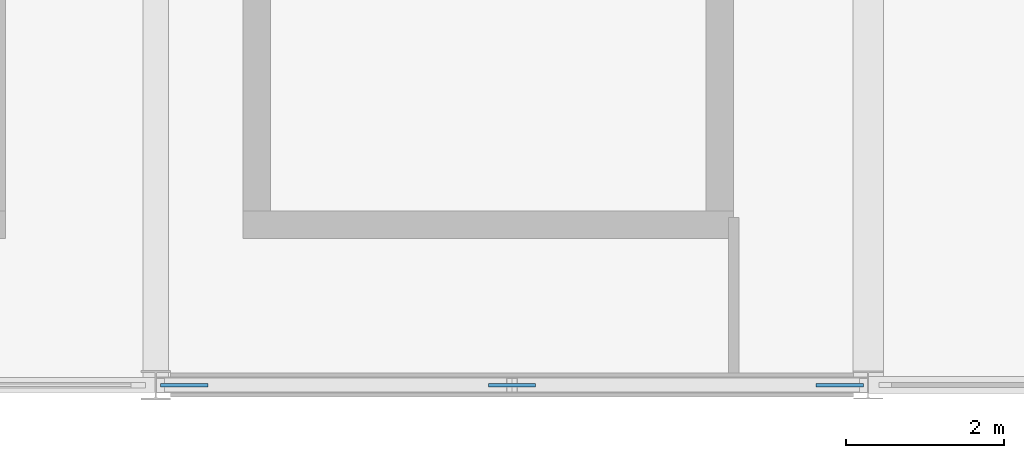
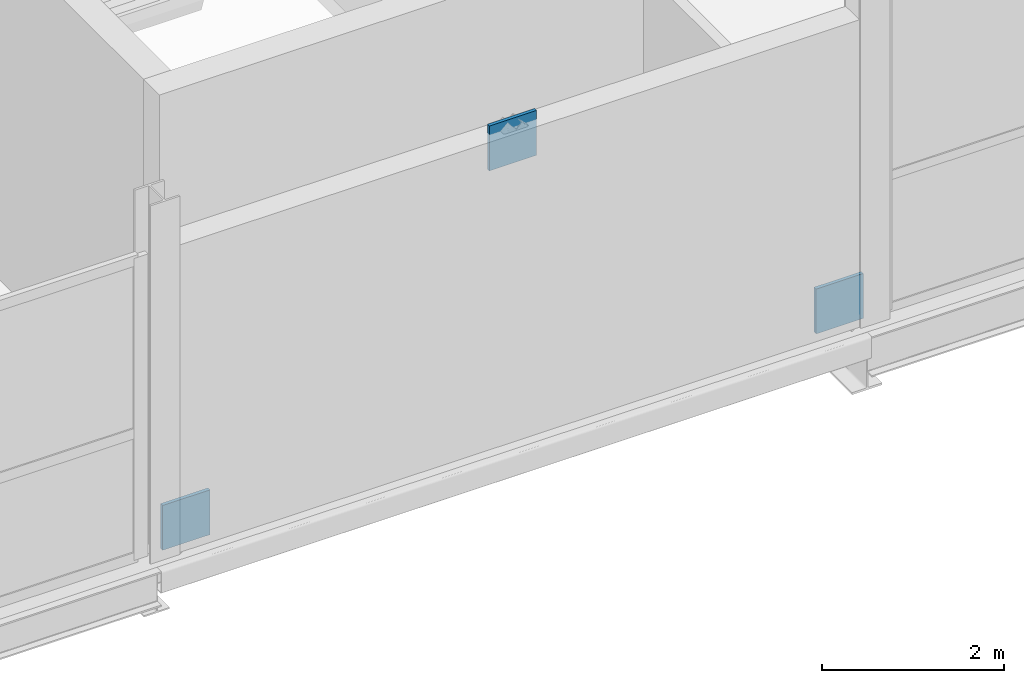
# One storey, part 190 of 224: 3 plates.
"""IFC4 building model written with IfcOpenShell, lengths in metres."""

from ifc_helpers import new_model, si_unit, direction, frame, origin, origin_2d, place, context, subcontext, project, spatial, rectangle, extrude, material, layer, layer_set, type_object, element, save


model = new_model("IFC4")

# Units and contexts
model_context = context("Model", 3, precision=1e-05, world=origin(), true_north=direction((0.0, 1.0)))
body_context = subcontext(model_context, "Body", "Model", "MODEL_VIEW")
ifc_project = project(units=[si_unit("LENGTHUNIT", "METRE"), si_unit("AREAUNIT", "SQUARE_METRE"), si_unit("VOLUMEUNIT", "CUBIC_METRE"), si_unit("PLANEANGLEUNIT", "RADIAN"), si_unit("MASSUNIT", "GRAM", prefix="KILO")], contexts=[model_context])

# Site, building, storey
site_placement = place(None, origin())
site = spatial("IfcSite", under=ifc_project, at=site_placement, CompositionType="ELEMENT")
building_placement = place(site_placement, origin())
building = spatial("IfcBuilding", under=site, at=building_placement, Name="Qamarlyn Nura Convention Centre", CompositionType="ELEMENT")
storey_placement = place(building_placement, frame((0.0, 0.0, 10.800048828125)))
storey = spatial("IfcBuildingStorey", under=building, at=storey_placement, Name="L02", CompositionType="ELEMENT", Elevation=10.800048828125)

# Plates
ifc_material = material(Name="Structural steel ASTM A572 Grade 50", Category="steel")
ifc_layer = layer(ifc_material, 0.044921875, Name="GP-TN1")
ifc_layer_set = layer_set([ifc_layer], Name="Structural steel ASTM A572 Grade 50")
plate_type = type_object("IfcPlateType", Name="GP-TN1", PredefinedType="USERDEFINED", material=ifc_layer_set)
for number, where, z_axis, x_axis, name in (
    (1, (171.360107421875, 0.0, 0.0), (0.0, 0.0, 1.0), (1.0, 0.0, 0.0), "SCBF chevron brace gusset plate CBF-E1-L02-A"),
    (2, (179.639892578125, 0.0, 0.0), (0.0, 0.0, 1.0), (1.0, 0.0, 0.0), "SCBF chevron brace gusset plate CBF-E1-L02-B"),
    (3, (175.5, 0.0, 3.6337890625), (0.0, 0.0, 1.0), (1.0, 0.0, 0.0), "SCBF chevron brace gusset plate CBF-E1-L02-M"),
):
    element("IfcPlate", number, at=place(storey_placement, frame(where, z_axis=z_axis, x_axis=x_axis)), inside=storey, type_object=plate_type, Name=name, ObjectType="GUSSET PLATE", PredefinedType="USERDEFINED", context=body_context, shape_type="SweptSolid", body=[
        extrude(rectangle(XDim=0.60009765625, YDim=0.044921875, at=origin_2d()), origin(), (0.0, 0.0, 1.0), 0.60009765625),
    ])

save(model, "model.ifc")
